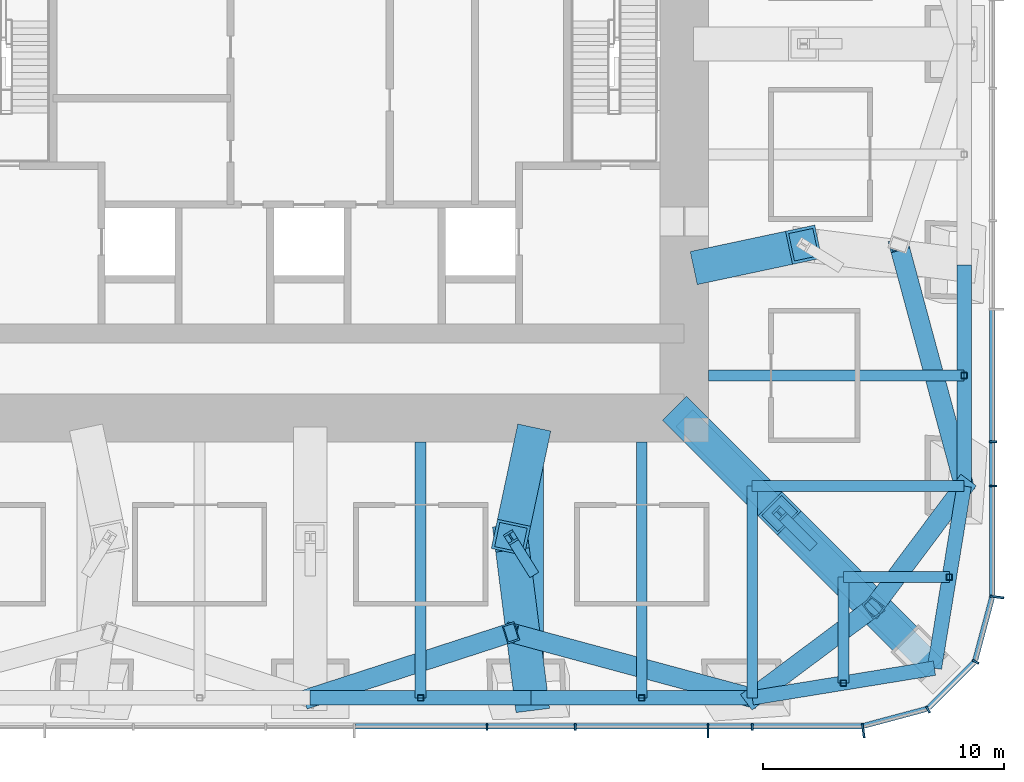
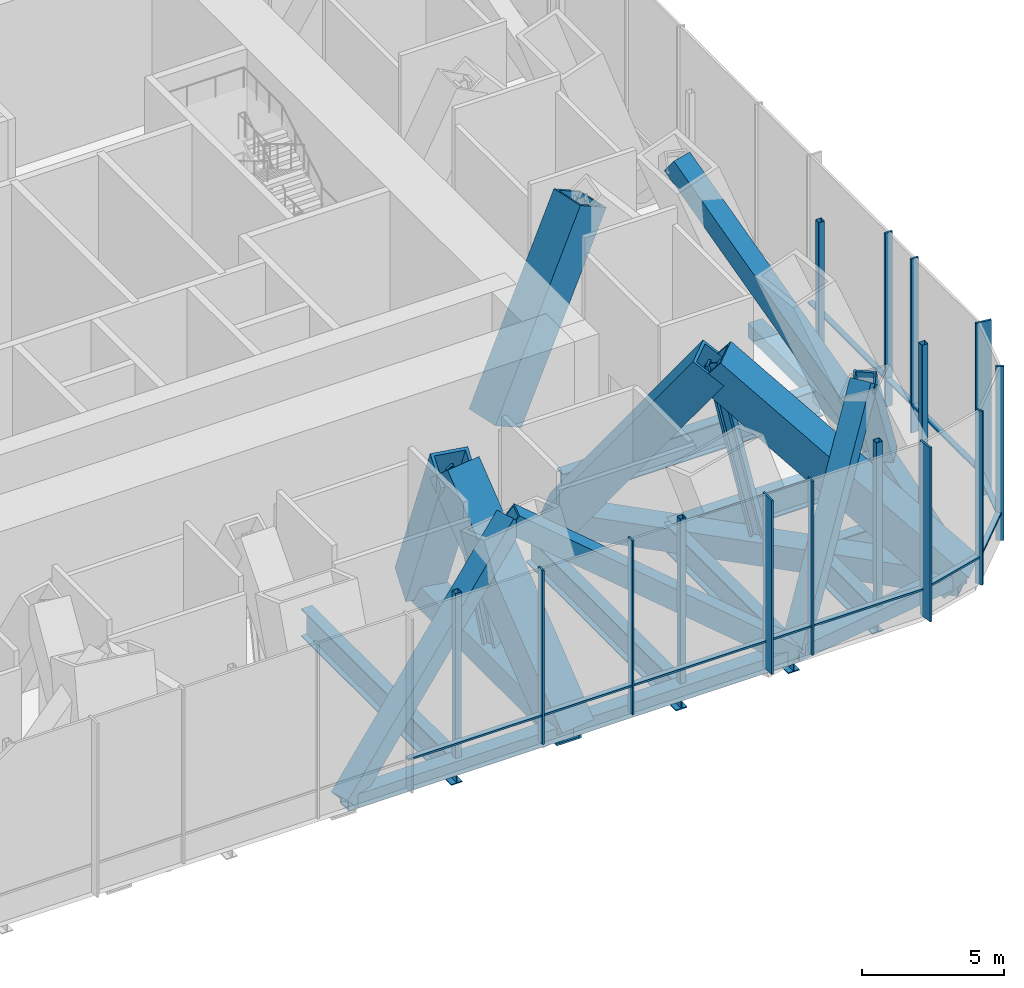
# One storey, part 4 of 16: 45 members, 7 beams, 3 elements without a shape of their own.
"""IFC4 building model written with IfcOpenShell, lengths in metres."""

from ifc_helpers import new_model, si_unit, direction, frame, origin, origin_2d, place, context, subcontext, project, spatial, rectangle, hollow_rectangle, i_section, extrude, material, material_profile, profile_set, type_object, element, aggregate, save


model = new_model("IFC4")

# Units and contexts
model_context = context("Model", 3, precision=1e-05, world=origin(), true_north=direction((0.0, 1.0)))
body_context = subcontext(model_context, "Body", "Model", "MODEL_VIEW")
ifc_project = project(units=[si_unit("LENGTHUNIT", "METRE"), si_unit("AREAUNIT", "SQUARE_METRE"), si_unit("VOLUMEUNIT", "CUBIC_METRE"), si_unit("PLANEANGLEUNIT", "RADIAN"), si_unit("MASSUNIT", "GRAM", prefix="KILO")], contexts=[model_context])

# Site, building, storey
site_placement = place(None, origin())
site = spatial("IfcSite", under=ifc_project, at=site_placement, CompositionType="ELEMENT")
building_placement = place(site_placement, origin())
building = spatial("IfcBuilding", under=site, at=building_placement, Name="Khuree Lantern Residences", CompositionType="ELEMENT")
storey_placement = place(building_placement, frame((0.0, 0.0, 192.0)))
storey = spatial("IfcBuildingStorey", under=building, at=storey_placement, Name="L48", CompositionType="ELEMENT", Elevation=192.0)

# Beams
ifc_material_1 = material(Name="Steel S355", Category="steel")
ifc_material_profile_1 = material_profile(ifc_material_1, i_section(OverallWidth=0.449951171875, OverallDepth=1.199951171875, WebThickness=0.02490234375, FlangeThickness=0.044921875, at=origin_2d()), Name="WELDED I 1200X450X25X45")
ifc_profile_set_1 = profile_set([ifc_material_profile_1], Name="Steel S355")
beam_type_1 = type_object("IfcBeamType", Name="B-48 SECONDARY BEAM WELDED I 1200X450X25X45", PredefinedType="BEAM", material=ifc_profile_set_1)
beam_placement = place(storey_placement, frame((27.10009765625, -13.739990234375, -0.949951171875), z_axis=(-1.0, 0.0, 0.0), x_axis=(0.0, -1.0, 0.0)))
element("IfcBeam", 1, at=beam_placement, inside=storey, type_object=beam_type_1, Name="Secondary beam E5", PredefinedType="BEAM", context=body_context, shape_type="SweptSolid", body=[
    extrude(i_section(OverallWidth=0.449951171875, OverallDepth=1.199951171875, WebThickness=0.02490234375, FlangeThickness=0.044921875, at=origin_2d()), origin(), (0.0, 0.0, 1.0), 10.60009765625),
])
for number, where, z_axis, x_axis, name in (
    (2, (26.48486328125, -22.094970703125, -0.949951171875), (-1.0, 0.0, 0.0), (0.0, -1.0, 0.0), "Secondary beam E6"),
    (3, (22.094970703125, -26.48486328125, -0.949951171875), (0.0, 1.0, 0.0), (-1.0, 0.0, 0.0), "Secondary beam S1"),
):
    element("IfcBeam", number, at=place(storey_placement, frame(where, z_axis=z_axis, x_axis=x_axis)), inside=storey, type_object=beam_type_1, Name=name, PredefinedType="BEAM", context=body_context, shape_type="SweptSolid", body=[
        extrude(i_section(OverallWidth=0.449951171875, OverallDepth=1.199951171875, WebThickness=0.02490234375, FlangeThickness=0.044921875, at=origin_2d()), origin(), (0.0, 0.0, 1.0), 4.389892578125),
    ])
for number, where, z_axis, x_axis, name in (
    (4, (13.739990234375, -27.10009765625, -0.949951171875), (0.0, 1.0, 0.0), (-1.0, 0.0, 0.0), "Secondary beam S2"),
    (5, (4.580078125, -27.10009765625, -0.949951171875), (0.0, 1.0, 0.0), (-1.0, 0.0, 0.0), "Secondary beam S3"),
):
    element("IfcBeam", number, at=place(storey_placement, frame(where, z_axis=z_axis, x_axis=x_axis)), inside=storey, type_object=beam_type_1, Name=name, PredefinedType="BEAM", context=body_context, shape_type="SweptSolid", body=[
        extrude(i_section(OverallWidth=0.449951171875, OverallDepth=1.199951171875, WebThickness=0.02490234375, FlangeThickness=0.044921875, at=origin_2d()), origin(), (0.0, 0.0, 1.0), 10.60009765625),
    ])

# Members
ifc_material_profile_2 = material_profile(ifc_material_1, hollow_rectangle(XDim=0.800048828125, YDim=0.800048828125, WallThickness=0.070068359375, at=origin_2d()), Name="WELDED BOX 800X800X70")
ifc_profile_set_2 = profile_set([ifc_material_profile_2], Name="Steel S355")
member_type_1 = type_object("IfcMemberType", Name="BD-48 BELT TRUSS DIAGONAL WELDED BOX 800X800X70", PredefinedType="BRACE", material=ifc_profile_set_2)
member_1_placement = place(storey_placement, frame((24.39990234375, -8.320068359375, 6.949951171875), z_axis=(0.210178823341, -0.778383779751, -0.591560270505), x_axis=(0.965424337217, 0.260683426993, 0.0)))
element("IfcMember", 6, at=member_1_placement, inside=storey, type_object=member_type_1, Name="Belt truss diagonal E5", PredefinedType="BRACE", context=body_context, shape_type="SweptSolid", body=[
    extrude(hollow_rectangle(XDim=0.800048828125, YDim=0.800048828125, WallThickness=0.070068359375, at=origin_2d()), origin(), (0.0, 0.0, 1.0), 12.84716796875),
])
for number, where, z_axis, x_axis, name in (
    (7, (27.10009765625, -18.320068359375, -0.64990234375), (-0.380984544473, -0.509986139158, 0.771210032832), (0.801133426938, -0.598485782825, 0.0), "Belt truss diagonal E6"),
    (8, (23.345703125, -23.345703125, 6.949951171875), (-0.509986139158, -0.380984544473, -0.771210032832), (0.598485782825, -0.801133426938, 0.0), "Belt truss diagonal S1"),
):
    element("IfcMember", number, at=place(storey_placement, frame(where, z_axis=z_axis, x_axis=x_axis)), inside=storey, type_object=member_type_1, Name=name, PredefinedType="BRACE", context=body_context, shape_type="SweptSolid", body=[
        extrude(hollow_rectangle(XDim=0.800048828125, YDim=0.800048828125, WallThickness=0.070068359375, at=origin_2d()), origin(), (0.0, 0.0, 1.0), 9.8544921875),
    ])
member_2_placement = place(storey_placement, frame((18.320068359375, -27.10009765625, -0.64990234375), z_axis=(-0.778383779751, 0.210178823341, 0.591560270505), x_axis=(-0.260683426993, -0.965424337217, 0.0)))
element("IfcMember", 9, at=member_2_placement, inside=storey, type_object=member_type_1, Name="Belt truss diagonal S2", PredefinedType="BRACE", context=body_context, shape_type="SweptSolid", body=[
    extrude(hollow_rectangle(XDim=0.800048828125, YDim=0.800048828125, WallThickness=0.070068359375, at=origin_2d()), origin(), (0.0, 0.0, 1.0), 12.84716796875),
])
member_3_placement = place(storey_placement, frame((8.320068359375, -24.39990234375, 6.949951171875), z_axis=(-0.718015094379, -0.233024646962, -0.655861142432), x_axis=(0.308690344156, -0.951162589374, 0.0)))
element("IfcMember", 10, at=member_3_placement, inside=storey, type_object=member_type_1, Name="Belt truss diagonal S3", PredefinedType="BRACE", context=body_context, shape_type="SweptSolid", body=[
    extrude(hollow_rectangle(XDim=0.800048828125, YDim=0.800048828125, WallThickness=0.070068359375, at=origin_2d()), origin(), (0.0, 0.0, 1.0), 11.587646484375),
])
ifc_material_profile_3 = material_profile(ifc_material_1, hollow_rectangle(XDim=0.60009765625, YDim=0.60009765625, WallThickness=0.050048828125, at=origin_2d()), Name="WELDED BOX 600X600X50")
ifc_profile_set_3 = profile_set([ifc_material_profile_3], Name="Steel S355")
member_type_2 = type_object("IfcMemberType", Name="BT-48 BELT TRUSS CHORD WELDED BOX 600X600X50", PredefinedType="CHORD", material=ifc_profile_set_3)
member_4_placement = place(storey_placement, frame((27.10009765625, -9.159912109375, -0.64990234375), z_axis=(0.0, -1.0, 0.0), x_axis=(1.0, 0.0, 0.0)))
element("IfcMember", 11, at=member_4_placement, inside=storey, type_object=member_type_2, Name="Belt truss chord E5", PredefinedType="CHORD", context=body_context, shape_type="SweptSolid", body=[
    extrude(hollow_rectangle(XDim=0.60009765625, YDim=0.60009765625, WallThickness=0.050048828125, at=origin_2d()), origin(), (0.0, 0.0, 1.0), 9.16015625),
])
for number, where, z_axis, x_axis, name in (
    (12, (27.10009765625, -18.320068359375, -0.64990234375), (-0.160826723833, -0.986982656839, 0.0), (0.986982656839, -0.160826723833, 0.0), "Belt truss chord E6"),
    (13, (25.869873046875, -25.869873046875, -0.64990234375), (-0.986982656839, -0.160826723833, 0.0), (0.160826723833, -0.986982656839, 0.0), "Belt truss chord S1"),
):
    element("IfcMember", number, at=place(storey_placement, frame(where, z_axis=z_axis, x_axis=x_axis)), inside=storey, type_object=member_type_2, Name=name, PredefinedType="CHORD", context=body_context, shape_type="SweptSolid", body=[
        extrude(hollow_rectangle(XDim=0.60009765625, YDim=0.60009765625, WallThickness=0.050048828125, at=origin_2d()), origin(), (0.0, 0.0, 1.0), 7.6494140625),
    ])
member_5_placement = place(storey_placement, frame((18.320068359375, -27.10009765625, -0.64990234375), z_axis=(-1.0, 0.0, 0.0), x_axis=(0.0, -1.0, 0.0)))
element("IfcMember", 14, at=member_5_placement, inside=storey, type_object=member_type_2, Name="Belt truss chord S2", PredefinedType="CHORD", context=body_context, shape_type="SweptSolid", body=[
    extrude(hollow_rectangle(XDim=0.60009765625, YDim=0.60009765625, WallThickness=0.050048828125, at=origin_2d()), origin(), (0.0, 0.0, 1.0), 9.16015625),
])
member_6_placement = place(storey_placement, frame((9.159912109375, -27.10009765625, -0.64990234375), z_axis=(-1.0, 0.0, 0.0), x_axis=(0.0, -1.0, 0.0)))
element("IfcMember", 15, at=member_6_placement, inside=storey, type_object=member_type_2, Name="Belt truss chord S3", PredefinedType="CHORD", context=body_context, shape_type="SweptSolid", body=[
    extrude(hollow_rectangle(XDim=0.60009765625, YDim=0.60009765625, WallThickness=0.050048828125, at=origin_2d()), origin(), (0.0, 0.0, 1.0), 9.159912109375),
])

# Curtain wall, member
ifc_material_2 = material(Name="Bronze anodised aluminium", Category="aluminium")
curtain_wall_type = type_object("IfcCurtainWallType", Name="CW-G PLANT STOREY LOUVRED CURTAIN WALL", PredefinedType="USERDEFINED", material=ifc_material_2)
curtain_wall_1_placement = place(storey_placement, origin())
curtain_wall_1 = element("IfcCurtainWall", 16, at=curtain_wall_1_placement, inside=storey, type_object=curtain_wall_type, Name="L48 SOUTH-EAST CORNER CURTAIN WALL", ObjectType="Louvred curtain wall", PredefinedType="USERDEFINED")
ifc_material_profile_4 = material_profile(ifc_material_2, rectangle(XDim=0.080078125, YDim=0.60009765625, at=origin_2d()), Name="F2 80X600")
ifc_profile_set_4 = profile_set([ifc_material_profile_4], Name="Bronze anodised aluminium")
member_type_3 = type_object("IfcMemberType", Name="F2 BRONZE FIN MULLION PLANT 80X600", PredefinedType="MULLION", material=ifc_profile_set_4)
member_7_placement = place(storey_placement, frame((22.919677734375, -28.4501953125, 0.0), z_axis=(0.0, 0.0, 1.0), x_axis=(0.991444857305, 0.130526223125, 0.0)))
member_7 = element("IfcMember", 17, at=member_7_placement, type_object=member_type_3, Name="L48 SOUTH-EAST CORNER FIN MULLION 1", PredefinedType="MULLION", context=body_context, shape_type="SweptSolid", body=[
    extrude(rectangle(XDim=0.080078125, YDim=0.60009765625, at=origin_2d()), origin(), (0.0, 0.0, 1.0), 7.5),
])

curtain_wall_2_placement = place(storey_placement, origin())
curtain_wall_2 = element("IfcCurtainWall", 18, at=curtain_wall_2_placement, inside=storey, type_object=curtain_wall_type, Name="L48 EAST FACE CURTAIN WALL", ObjectType="Louvred curtain wall", PredefinedType="USERDEFINED")
member_8_placement = place(storey_placement, frame((28.4501953125, -22.919677734375, 0.0), z_axis=(0.0, 0.0, 1.0), x_axis=(0.130526223125, 0.991444857305, 0.0)))
member_8 = element("IfcMember", 19, at=member_8_placement, type_object=member_type_3, Name="L48 EAST FACE FIN MULLION 4", PredefinedType="MULLION", context=body_context, shape_type="SweptSolid", body=[
    extrude(rectangle(XDim=0.080078125, YDim=0.60009765625, at=origin_2d()), origin(), (0.0, 0.0, 1.0), 7.5),
])

curtain_wall_3_placement = place(storey_placement, origin())
curtain_wall_3 = element("IfcCurtainWall", 20, at=curtain_wall_3_placement, inside=storey, type_object=curtain_wall_type, Name="L48 SOUTH FACE CURTAIN WALL", ObjectType="Louvred curtain wall", PredefinedType="USERDEFINED")
member_9_placement = place(storey_placement, frame((16.488037109375, -28.449951171875, 0.0), z_axis=(0.0, 0.0, 1.0), x_axis=(1.0, 0.0, 0.0)))
member_9 = element("IfcMember", 21, at=member_9_placement, type_object=member_type_3, Name="L48 SOUTH FACE FIN MULLION 55", PredefinedType="MULLION", context=body_context, shape_type="SweptSolid", body=[
    extrude(rectangle(XDim=0.080078125, YDim=0.60009765625, at=origin_2d()), origin(), (0.0, 0.0, 1.0), 7.5),
])

# Beams
ifc_material_profile_5 = material_profile(ifc_material_1, i_section(OverallWidth=0.449951171875, OverallDepth=1.199951171875, WebThickness=0.02490234375, FlangeThickness=0.044921875, at=origin_2d()), Name="WELDED I 1200X450X25X45")
ifc_profile_set_5 = profile_set([ifc_material_profile_5], Name="Steel S355")
beam_type_2 = type_object("IfcBeamType", Name="G-48 GIRDER WELDED I 1200X450X25X45", PredefinedType="BEAM", material=ifc_profile_set_5)
for number, where, z_axis, x_axis, name in (
    (22, (27.10009765625, -18.320068359375, -0.949951171875), (-1.0, 0.0, 0.0), (0.0, -1.0, 0.0), "Girder E5"),
    (23, (18.320068359375, -27.10009765625, -0.949951171875), (0.0, 1.0, 0.0), (-1.0, 0.0, 0.0), "Girder S1"),
):
    element("IfcBeam", number, at=place(storey_placement, frame(where, z_axis=z_axis, x_axis=x_axis)), inside=storey, type_object=beam_type_2, Name=name, PredefinedType="BEAM", context=body_context, shape_type="SweptSolid", body=[
        extrude(i_section(OverallWidth=0.449951171875, OverallDepth=1.199951171875, WebThickness=0.02490234375, FlangeThickness=0.044921875, at=origin_2d()), origin(), (0.0, 0.0, 1.0), 8.780029296875),
    ])

# Member
ifc_material_profile_6 = material_profile(ifc_material_2, rectangle(XDim=0.080078125, YDim=0.300048828125, at=origin_2d()), Name="M2 80X300")
ifc_profile_set_6 = profile_set([ifc_material_profile_6], Name="Bronze anodised aluminium")
member_type_4 = type_object("IfcMemberType", Name="MULLION M2 PLANT 80X300", PredefinedType="MULLION", material=ifc_profile_set_6)
member_10_placement = place(storey_placement, frame((25.60009765625, -27.576416015625, 0.0), z_axis=(0.0, 0.0, 1.0), x_axis=(0.866025388199, 0.500000026995, 0.0)))
member_10 = element("IfcMember", 24, at=member_10_placement, type_object=member_type_4, Name="L48 SOUTH-EAST CORNER MULLION 2", PredefinedType="MULLION", context=body_context, shape_type="SweptSolid", body=[
    extrude(rectangle(XDim=0.080078125, YDim=0.300048828125, at=origin_2d()), origin(), (0.0, 0.0, 1.0), 7.5),
])

member_11_placement = place(storey_placement, frame((27.576416015625, -25.60009765625, 0.0), z_axis=(0.0, 0.0, 1.0), x_axis=(0.500000026995, 0.866025388199, 0.0)))
member_11 = element("IfcMember", 25, at=member_11_placement, type_object=member_type_4, Name="L48 SOUTH-EAST CORNER MULLION 3", PredefinedType="MULLION", context=body_context, shape_type="SweptSolid", body=[
    extrude(rectangle(XDim=0.080078125, YDim=0.300048828125, at=origin_2d()), origin(), (0.0, 0.0, 1.0), 7.5),
])

member_12_placement = place(storey_placement, frame((28.300048828125, -18.320068359375, 0.0), z_axis=(0.0, 0.0, 1.0), x_axis=(0.0, 1.0, 0.0)))
member_12 = element("IfcMember", 26, at=member_12_placement, type_object=member_type_4, Name="L48 EAST FACE MULLION 5", PredefinedType="MULLION", context=body_context, shape_type="SweptSolid", body=[
    extrude(rectangle(XDim=0.080078125, YDim=0.300048828125, at=origin_2d()), origin(), (0.0, 0.0, 1.0), 7.5),
])

member_13_placement = place(storey_placement, frame((28.300048828125, -16.488037109375, 0.0), z_axis=(0.0, 0.0, 1.0), x_axis=(0.0, 1.0, 0.0)))
member_13 = element("IfcMember", 27, at=member_13_placement, type_object=member_type_4, Name="L48 EAST FACE MULLION 6", PredefinedType="MULLION", context=body_context, shape_type="SweptSolid", body=[
    extrude(rectangle(XDim=0.080078125, YDim=0.300048828125, at=origin_2d()), origin(), (0.0, 0.0, 1.0), 7.5),
])

member_14_placement = place(storey_placement, frame((7.327880859375, -28.300048828125, 0.0), z_axis=(0.0, 0.0, 1.0), x_axis=(1.0, 0.0, 0.0)))
member_14 = element("IfcMember", 28, at=member_14_placement, type_object=member_type_4, Name="L48 SOUTH FACE MULLION 53", PredefinedType="MULLION", context=body_context, shape_type="SweptSolid", body=[
    extrude(rectangle(XDim=0.080078125, YDim=0.300048828125, at=origin_2d()), origin(), (0.0, 0.0, 1.0), 7.5),
])

member_15_placement = place(storey_placement, frame((10.991943359375, -28.300048828125, 0.0), z_axis=(0.0, 0.0, 1.0), x_axis=(1.0, 0.0, 0.0)))
member_15 = element("IfcMember", 29, at=member_15_placement, type_object=member_type_4, Name="L48 SOUTH FACE MULLION 54", PredefinedType="MULLION", context=body_context, shape_type="SweptSolid", body=[
    extrude(rectangle(XDim=0.080078125, YDim=0.300048828125, at=origin_2d()), origin(), (0.0, 0.0, 1.0), 7.5),
])

member_16_placement = place(storey_placement, frame((18.320068359375, -28.300048828125, 0.0), z_axis=(0.0, 0.0, 1.0), x_axis=(1.0, 0.0, 0.0)))
member_16 = element("IfcMember", 30, at=member_16_placement, type_object=member_type_4, Name="L48 SOUTH FACE MULLION 56", PredefinedType="MULLION", context=body_context, shape_type="SweptSolid", body=[
    extrude(rectangle(XDim=0.080078125, YDim=0.300048828125, at=origin_2d()), origin(), (0.0, 0.0, 1.0), 7.5),
])

# Members
ifc_material_profile_7 = material_profile(ifc_material_1, hollow_rectangle(XDim=1.39990234375, YDim=1.39990234375, WallThickness=0.1201171875, at=origin_2d()), Name="WELDED BOX 1400X1400X120")
ifc_profile_set_7 = profile_set([ifc_material_profile_7], Name="Steel S355")
member_type_5 = type_object("IfcMemberType", Name="OD-48 OUTRIGGER TRUSS DIAGONAL WELDED BOX 1400X1400X120", PredefinedType="BRACE", material=ifc_profile_set_7)
member_17_placement = place(storey_placement, frame((15.5, -15.5, -0.85009765625), z_axis=(0.419194449983, -0.419194449983, 0.805327278941), x_axis=(0.707106781187, 0.707106781187, 0.0)))
element("IfcMember", 31, at=member_17_placement, inside=storey, type_object=member_type_5, Name="Outrigger diagonal SE core side", PredefinedType="BRACE", context=body_context, shape_type="SweptSolid", body=[
    extrude(hollow_rectangle(XDim=1.39990234375, YDim=1.39990234375, WallThickness=0.1201171875, at=origin_2d()), origin(), (0.0, 0.0, 1.0), 9.437255859375),
])
member_18_placement = place(storey_placement, frame((19.4560546875, -19.4560546875, 6.75), z_axis=(0.541997649292, -0.541997649292, -0.642243798198), x_axis=(0.707106781187, 0.707106781187, 0.0)))
element("IfcMember", 32, at=member_18_placement, inside=storey, type_object=member_type_5, Name="Outrigger diagonal SE column side", PredefinedType="BRACE", context=body_context, shape_type="SweptSolid", body=[
    extrude(hollow_rectangle(XDim=1.39990234375, YDim=1.39990234375, WallThickness=0.1201171875, at=origin_2d()), origin(), (0.0, 0.0, 1.0), 11.833740234375),
])
for number, where, z_axis, x_axis, name in (
    (33, (16.5, -9.159912109375, -0.85009765625), (0.45895877057, 0.097584410085, 0.883082176145), (-0.20797227522, 0.97813472116, 0.0), "Outrigger diagonal E4 core side"),
    (34, (9.159912109375, -16.5, -0.85009765625), (-0.097584410085, -0.45895877057, 0.883082176145), (0.97813472116, -0.20797227522, 0.0), "Outrigger diagonal S2 core side"),
):
    element("IfcMember", number, at=place(storey_placement, frame(where, z_axis=z_axis, x_axis=x_axis)), inside=storey, type_object=member_type_5, Name=name, PredefinedType="BRACE", context=body_context, shape_type="SweptSolid", body=[
        extrude(hollow_rectangle(XDim=1.39990234375, YDim=1.39990234375, WallThickness=0.1201171875, at=origin_2d()), origin(), (0.0, 0.0, 1.0), 8.6064453125),
    ])
member_19_placement = place(storey_placement, frame((8.320068359375, -20.449951171875, 6.75), z_axis=(0.082876562959, -0.656242644896, -0.749984710732), x_axis=(0.992119618756, 0.125294301866, 0.0)))
element("IfcMember", 35, at=member_19_placement, inside=storey, type_object=member_type_5, Name="Outrigger diagonal S2 column side", PredefinedType="BRACE", context=body_context, shape_type="SweptSolid", body=[
    extrude(hollow_rectangle(XDim=1.39990234375, YDim=1.39990234375, WallThickness=0.1201171875, at=origin_2d()), origin(), (0.0, 0.0, 1.0), 10.1337890625),
])
ifc_material_profile_8 = material_profile(ifc_material_1, i_section(OverallWidth=0.431884765625, OverallDepth=0.498046875, WebThickness=0.0556640625, FlangeThickness=0.0888671875, FilletRadius=0.014892578125, at=origin_2d()), Name="HD 400X744")
ifc_profile_set_8 = profile_set([ifc_material_profile_8], Name="Steel S355")
member_type_6 = type_object("IfcMemberType", Name="OP-48 OUTRIGGER TRUSS POST HD 400X744", PredefinedType="POST", material=ifc_profile_set_8)
member_20_placement = place(storey_placement, frame((20.684814453125, -20.684814453125, -0.85009765625), z_axis=(-0.15760950286, 0.15760950286, 0.97484280231), x_axis=(-0.707106781187, -0.707106781187, 0.0)))
element("IfcMember", 36, at=member_20_placement, inside=storey, type_object=member_type_6, Name="Outrigger post SE", PredefinedType="POST", context=body_context, shape_type="SweptSolid", body=[
    extrude(i_section(OverallWidth=0.431884765625, OverallDepth=0.498046875, WebThickness=0.0556640625, FlangeThickness=0.0888671875, FilletRadius=0.014892578125, at=origin_2d()), origin(), (0.0, 0.0, 1.0), 7.796142578125),
])
member_21_placement = place(storey_placement, frame((9.159912109375, -21.800048828125, -0.85009765625), z_axis=(-0.108162656539, 0.173877758914, 0.978809156417), x_axis=(-0.849117820297, -0.528203490384, 0.0)))
element("IfcMember", 37, at=member_21_placement, inside=storey, type_object=member_type_6, Name="Outrigger post S2", PredefinedType="POST", context=body_context, shape_type="SweptSolid", body=[
    extrude(i_section(OverallWidth=0.431884765625, OverallDepth=0.498046875, WebThickness=0.0556640625, FlangeThickness=0.0888671875, FilletRadius=0.014892578125, at=origin_2d()), origin(), (0.0, 0.0, 1.0), 7.7646484375),
])
ifc_material_profile_9 = material_profile(ifc_material_1, hollow_rectangle(XDim=1.0, YDim=1.0, WallThickness=0.080078125, at=origin_2d()), Name="WELDED BOX 1000X1000X80")
ifc_profile_set_9 = profile_set([ifc_material_profile_9], Name="Steel S355")
member_type_7 = type_object("IfcMemberType", Name="OT-48 OUTRIGGER TRUSS CHORD WELDED BOX 1000X1000X80", PredefinedType="CHORD", material=ifc_profile_set_9)
member_22_placement = place(storey_placement, frame((9.159912109375, -27.10009765625, -0.85009765625), z_axis=(0.0, 1.0, 0.0), x_axis=(-1.0, 0.0, 0.0)))
element("IfcMember", 38, at=member_22_placement, inside=storey, type_object=member_type_7, Name="Outrigger chord S2", PredefinedType="CHORD", context=body_context, shape_type="SweptSolid", body=[
    extrude(hollow_rectangle(XDim=1.0, YDim=1.0, WallThickness=0.080078125, at=origin_2d()), origin(), (0.0, 0.0, 1.0), 10.60009765625),
])
member_23_placement = place(storey_placement, frame((25.869873046875, -25.869873046875, -0.85009765625), z_axis=(-0.707106781187, 0.707106781187, 0.0), x_axis=(-0.707106781187, -0.707106781187, 0.0)))
element("IfcMember", 39, at=member_23_placement, inside=storey, type_object=member_type_7, Name="Outrigger chord SE", PredefinedType="CHORD", context=body_context, shape_type="SweptSolid", body=[
    extrude(hollow_rectangle(XDim=1.0, YDim=1.0, WallThickness=0.080078125, at=origin_2d()), origin(), (0.0, 0.0, 1.0), 14.665283203125),
])
ifc_material_profile_10 = material_profile(ifc_material_1, hollow_rectangle(XDim=0.25, YDim=0.25, WallThickness=0.012451171875, InnerFilletRadius=0.012451171875, OuterFilletRadius=0.018798828125, at=origin_2d()), Name="SHS 250X250X12.5")
ifc_profile_set_10 = profile_set([ifc_material_profile_10], Name="Steel S355")
member_type_8 = type_object("IfcMemberType", Name="TP1 TERRACE POST SHS 250X250X12.5", PredefinedType="POST", material=ifc_profile_set_10)
for number, where, z_axis, x_axis, name in (
    (40, (27.10009765625, -13.739990234375, -0.35009765625), (0.0, 0.0, 1.0), (1.0, 0.0, 0.0), "Terrace post E5"),
    (41, (26.48486328125, -22.094970703125, -0.35009765625), (0.0, 0.0, 1.0), (1.0, 0.0, 0.0), "Terrace post E6"),
    (42, (22.094970703125, -26.48486328125, -0.35009765625), (0.0, 0.0, 1.0), (1.0, 0.0, 0.0), "Terrace post S1"),
    (43, (13.739990234375, -27.10009765625, -0.35009765625), (0.0, 0.0, 1.0), (1.0, 0.0, 0.0), "Terrace post S2"),
    (44, (4.580078125, -27.10009765625, -0.35009765625), (0.0, 0.0, 1.0), (1.0, 0.0, 0.0), "Terrace post S3"),
):
    element("IfcMember", number, at=place(storey_placement, frame(where, z_axis=z_axis, x_axis=x_axis)), inside=storey, type_object=member_type_8, Name=name, PredefinedType="POST", context=body_context, shape_type="SweptSolid", body=[
        extrude(hollow_rectangle(XDim=0.25, YDim=0.25, WallThickness=0.012451171875, InnerFilletRadius=0.012451171875, OuterFilletRadius=0.018798828125, at=origin_2d()), origin(), (0.0, 0.0, 1.0), 7.10009765625),
    ])

# Member
ifc_material_profile_11 = material_profile(ifc_material_2, rectangle(XDim=0.219970703125, YDim=0.080078125, at=origin_2d()), Name="T2 220X80")
ifc_profile_set_11 = profile_set([ifc_material_profile_11], Name="Bronze anodised aluminium")
member_type_9 = type_object("IfcMemberType", Name="TRANSOM T2 PLANT 220X80", PredefinedType="USERDEFINED", material=ifc_profile_set_11)
member_24_placement = place(storey_placement, frame((22.948974609375, -28.255859375, 1.199951171875), z_axis=(0.965921820728, 0.258833993596, 0.0), x_axis=(-0.258833993596, 0.965921820728, 0.0)))
member_24 = element("IfcMember", 45, at=member_24_placement, type_object=member_type_9, Name="L48 SOUTH-EAST CORNER TRANSOM 1.1", ObjectType="Transom", PredefinedType="USERDEFINED", context=body_context, shape_type="SweptSolid", body=[
    extrude(rectangle(XDim=0.219970703125, YDim=0.080078125, at=origin_2d()), origin(), (0.0, 0.0, 1.0), 2.658935546875),
])

member_25_placement = place(storey_placement, frame((25.633544921875, -27.50048828125, 1.199951171875), z_axis=(0.707106781187, 0.707106781187, 0.0), x_axis=(-0.707106781187, 0.707106781187, 0.0)))
member_25 = element("IfcMember", 46, at=member_25_placement, type_object=member_type_9, Name="L48 SOUTH-EAST CORNER TRANSOM 2.1", ObjectType="Transom", PredefinedType="USERDEFINED", context=body_context, shape_type="SweptSolid", body=[
    extrude(rectangle(XDim=0.219970703125, YDim=0.080078125, at=origin_2d()), origin(), (0.0, 0.0, 1.0), 2.64013671875),
])

member_26_placement = place(storey_placement, frame((27.567626953125, -25.517333984375, 1.199951171875), z_axis=(0.258833993596, 0.965921820728, 0.0), x_axis=(-0.965921820728, 0.258833993596, 0.0)))
member_26 = element("IfcMember", 47, at=member_26_placement, type_object=member_type_9, Name="L48 SOUTH-EAST CORNER TRANSOM 3.1", ObjectType="Transom", PredefinedType="USERDEFINED", context=body_context, shape_type="SweptSolid", body=[
    extrude(rectangle(XDim=0.219970703125, YDim=0.080078125, at=origin_2d()), origin(), (0.0, 0.0, 1.0), 2.658935546875),
])

aggregate(curtain_wall_1, [member_7, member_10, member_11, member_24, member_25, member_26])

member_27_placement = place(storey_placement, frame((28.27001953125, -22.84130859375, 1.199951171875), z_axis=(0.0, 1.0, 0.0), x_axis=(-1.0, 0.0, 0.0)))
member_27 = element("IfcMember", 48, at=member_27_placement, type_object=member_type_9, Name="L48 EAST FACE TRANSOM 4.1", ObjectType="Transom", PredefinedType="USERDEFINED", context=body_context, shape_type="SweptSolid", body=[
    extrude(rectangle(XDim=0.219970703125, YDim=0.080078125, at=origin_2d()), origin(), (0.0, 0.0, 1.0), 4.481201171875),
])

member_28_placement = place(storey_placement, frame((28.27001953125, -18.280029296875, 1.199951171875), z_axis=(0.0, 1.0, 0.0), x_axis=(-1.0, 0.0, 0.0)))
member_28 = element("IfcMember", 49, at=member_28_placement, type_object=member_type_9, Name="L48 EAST FACE TRANSOM 5.1", ObjectType="Transom", PredefinedType="USERDEFINED", context=body_context, shape_type="SweptSolid", body=[
    extrude(rectangle(XDim=0.219970703125, YDim=0.080078125, at=origin_2d()), origin(), (0.0, 0.0, 1.0), 1.751953125),
])

member_29_placement = place(storey_placement, frame((28.27001953125, -16.447998046875, 1.199951171875), z_axis=(0.0, 1.0, 0.0), x_axis=(-1.0, 0.0, 0.0)))
member_29 = element("IfcMember", 50, at=member_29_placement, type_object=member_type_9, Name="L48 EAST FACE TRANSOM 6.1", ObjectType="Transom", PredefinedType="USERDEFINED", context=body_context, shape_type="SweptSolid", body=[
    extrude(rectangle(XDim=0.219970703125, YDim=0.080078125, at=origin_2d()), origin(), (0.0, 0.0, 1.0), 5.416015625),
])

aggregate(curtain_wall_2, [member_8, member_12, member_13, member_27, member_28, member_29])

member_30_placement = place(storey_placement, frame((1.8720703125, -28.27001953125, 1.199951171875), z_axis=(1.0, 0.0, 0.0), x_axis=(0.0, 1.0, 0.0)))
member_30 = element("IfcMember", 51, at=member_30_placement, type_object=member_type_9, Name="L48 SOUTH FACE TRANSOM 52.1", ObjectType="Transom", PredefinedType="USERDEFINED", context=body_context, shape_type="SweptSolid", body=[
    extrude(rectangle(XDim=0.219970703125, YDim=0.080078125, at=origin_2d()), origin(), (0.0, 0.0, 1.0), 5.416015625),
])

member_31_placement = place(storey_placement, frame((7.367919921875, -28.27001953125, 1.199951171875), z_axis=(1.0, 0.0, 0.0), x_axis=(0.0, 1.0, 0.0)))
member_31 = element("IfcMember", 52, at=member_31_placement, type_object=member_type_9, Name="L48 SOUTH FACE TRANSOM 53.1", ObjectType="Transom", PredefinedType="USERDEFINED", context=body_context, shape_type="SweptSolid", body=[
    extrude(rectangle(XDim=0.219970703125, YDim=0.080078125, at=origin_2d()), origin(), (0.0, 0.0, 1.0), 3.583984375),
])

member_32_placement = place(storey_placement, frame((11.031982421875, -28.27001953125, 1.199951171875), z_axis=(1.0, 0.0, 0.0), x_axis=(0.0, 1.0, 0.0)))
member_32 = element("IfcMember", 53, at=member_32_placement, type_object=member_type_9, Name="L48 SOUTH FACE TRANSOM 54.1", ObjectType="Transom", PredefinedType="USERDEFINED", context=body_context, shape_type="SweptSolid", body=[
    extrude(rectangle(XDim=0.219970703125, YDim=0.080078125, at=origin_2d()), origin(), (0.0, 0.0, 1.0), 5.416015625),
])

member_33_placement = place(storey_placement, frame((16.528076171875, -28.27001953125, 1.199951171875), z_axis=(1.0, 0.0, 0.0), x_axis=(0.0, 1.0, 0.0)))
member_33 = element("IfcMember", 54, at=member_33_placement, type_object=member_type_9, Name="L48 SOUTH FACE TRANSOM 55.1", ObjectType="Transom", PredefinedType="USERDEFINED", context=body_context, shape_type="SweptSolid", body=[
    extrude(rectangle(XDim=0.219970703125, YDim=0.080078125, at=origin_2d()), origin(), (0.0, 0.0, 1.0), 1.751953125),
])

member_34_placement = place(storey_placement, frame((18.360107421875, -28.27001953125, 1.199951171875), z_axis=(1.0, 0.0, 0.0), x_axis=(0.0, 1.0, 0.0)))
member_34 = element("IfcMember", 55, at=member_34_placement, type_object=member_type_9, Name="L48 SOUTH FACE TRANSOM 56.1", ObjectType="Transom", PredefinedType="USERDEFINED", context=body_context, shape_type="SweptSolid", body=[
    extrude(rectangle(XDim=0.219970703125, YDim=0.080078125, at=origin_2d()), origin(), (0.0, 0.0, 1.0), 4.481201171875),
])

aggregate(curtain_wall_3, [member_14, member_15, member_9, member_16, member_30, member_31, member_32, member_33, member_34])

save(model, "model.ifc")
